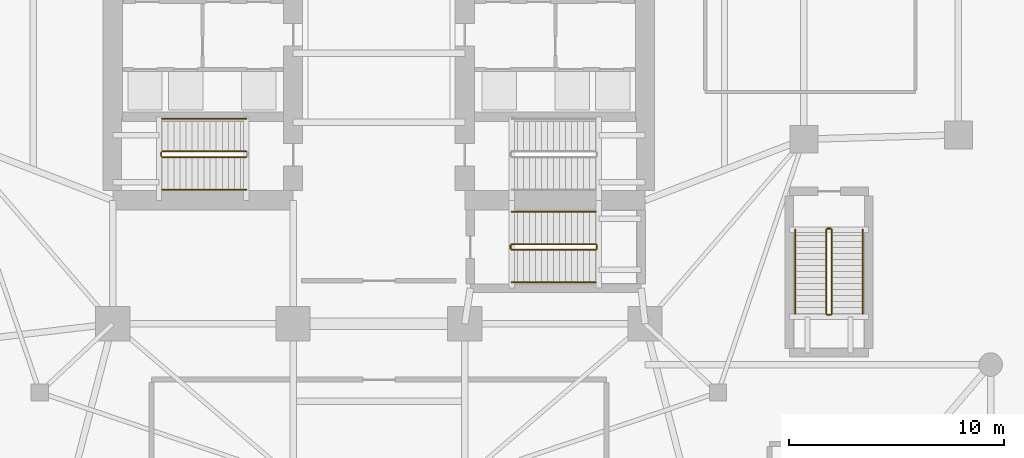
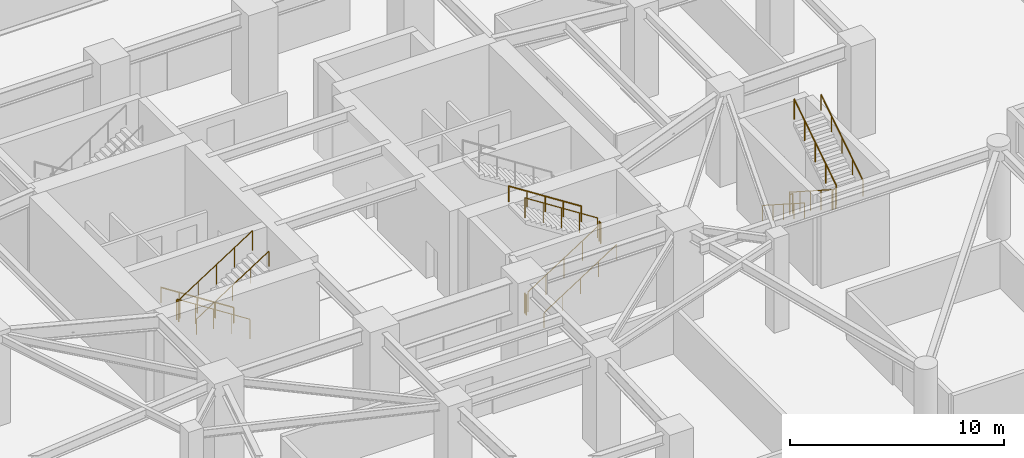
# One storey, part 19 of 24: 17 railings.
"""IFC4 building model written with IfcOpenShell, lengths in metres."""

from ifc_helpers import new_model, si_unit, direction, frame, origin, origin_2d, place, context, subcontext, project, spatial, circle, extrude, material, type_object, element, save


model = new_model("IFC4")

# Units and contexts
model_context = context("Model", 3, precision=1e-05, world=origin(), true_north=direction((0.0, 1.0)))
body_context = subcontext(model_context, "Body", "Model", "MODEL_VIEW")
ifc_project = project(units=[si_unit("LENGTHUNIT", "METRE"), si_unit("AREAUNIT", "SQUARE_METRE"), si_unit("VOLUMEUNIT", "CUBIC_METRE"), si_unit("PLANEANGLEUNIT", "RADIAN"), si_unit("MASSUNIT", "GRAM", prefix="KILO")], contexts=[model_context])

# Site, building, storey
site_placement = place(None, origin())
site = spatial("IfcSite", under=ifc_project, at=site_placement, CompositionType="ELEMENT")
building_placement = place(site_placement, origin())
building = spatial("IfcBuilding", under=site, at=building_placement, Name="Qingluan Cross Belvedere", CompositionType="ELEMENT")
storey_placement = place(building_placement, origin())
storey = spatial("IfcBuildingStorey", under=building, at=storey_placement, Name="L01", CompositionType="ELEMENT", Elevation=0.0)

# Railings
ifc_material_1 = material(Name="Brushed stainless steel tubular handrail", Category="steel")
railing_type_1 = type_object("IfcRailingType", Name="StairPitchHandrail_900", PredefinedType="HANDRAIL", material=ifc_material_1)
railing_1_placement = place(storey_placement, frame((-6.179931640625, -3.050048828125, 0.179931640625)))
element("IfcRailing", 1, at=railing_1_placement, inside=storey, type_object=railing_type_1, Name="L01 ST1 stair handrail 1", PredefinedType="HANDRAIL", context=body_context, shape_type="SweptSolid", body=[
    extrude(circle(Radius=0.02392578125, at=origin_2d()), frame((0.0, 0.0, 0.8759765625), z_axis=(-0.841186985886, 0.0, 0.540744352514), x_axis=(0.0, -1.0, 0.0)), (0.0, 0.0, 1.0), 4.660400390625),
    extrude(circle(Radius=0.02099609375, at=origin_2d()), origin(), (0.0, 0.0, 1.0), 0.851806640625),
    extrude(circle(Radius=0.02099609375, at=origin_2d()), frame((-0.97998046875, 0.0, 0.6298828125)), (0.0, 0.0, 1.0), 0.851806640625),
    extrude(circle(Radius=0.02099609375, at=origin_2d()), frame((-1.9599609375, 0.0, 1.260009765625)), (0.0, 0.0, 1.0), 0.851806640625),
    extrude(circle(Radius=0.02099609375, at=origin_2d()), frame((-2.940185546875, 0.0, 1.89013671875)), (0.0, 0.0, 1.0), 0.851806640625),
    extrude(circle(Radius=0.02099609375, at=origin_2d()), frame((-3.920166015625, 0.0, 2.52001953125)), (0.0, 0.0, 1.0), 0.851806640625),
])
for number, where, name in (
    (2, (-10.10009765625, -6.35009765625, 2.8798828125), "L01 ST1 stair handrail 2"),
    (3, (6.179931640625, -10.669921875, 0.179931640625), "L01 ST4 stair handrail 1"),
):
    element("IfcRailing", number, at=place(storey_placement, frame(where)), inside=storey, type_object=railing_type_1, Name=name, PredefinedType="HANDRAIL", context=body_context, shape_type="SweptSolid", body=[
        extrude(circle(Radius=0.02392578125, at=origin_2d()), frame((0.0, 0.0, 0.8759765625), z_axis=(0.841186985886, 0.0, 0.540744352514), x_axis=(0.0, 1.0, 0.0)), (0.0, 0.0, 1.0), 4.660400390625),
        extrude(circle(Radius=0.02099609375, at=origin_2d()), origin(), (0.0, 0.0, 1.0), 0.851806640625),
        extrude(circle(Radius=0.02099609375, at=origin_2d()), frame((0.97998046875, 0.0, 0.6298828125)), (0.0, 0.0, 1.0), 0.851806640625),
        extrude(circle(Radius=0.02099609375, at=origin_2d()), frame((1.9599609375, 0.0, 1.260009765625)), (0.0, 0.0, 1.0), 0.851806640625),
        extrude(circle(Radius=0.02099609375, at=origin_2d()), frame((2.940185546875, 0.0, 1.89013671875)), (0.0, 0.0, 1.0), 0.851806640625),
        extrude(circle(Radius=0.02099609375, at=origin_2d()), frame((3.920166015625, 0.0, 2.52001953125)), (0.0, 0.0, 1.0), 0.851806640625),
    ])
railing_2_placement = place(storey_placement, frame((10.10009765625, -7.3701171875, 2.8798828125)))
element("IfcRailing", 4, at=railing_2_placement, inside=storey, type_object=railing_type_1, Name="L01 ST4 stair handrail 2", PredefinedType="HANDRAIL", context=body_context, shape_type="SweptSolid", body=[
    extrude(circle(Radius=0.02392578125, at=origin_2d()), frame((0.0, 0.0, 0.8759765625), z_axis=(-0.841186985886, 0.0, 0.540744352514), x_axis=(0.0, -1.0, 0.0)), (0.0, 0.0, 1.0), 4.660400390625),
    extrude(circle(Radius=0.02099609375, at=origin_2d()), origin(), (0.0, 0.0, 1.0), 0.851806640625),
    extrude(circle(Radius=0.02099609375, at=origin_2d()), frame((-0.97998046875, 0.0, 0.6298828125)), (0.0, 0.0, 1.0), 0.851806640625),
    extrude(circle(Radius=0.02099609375, at=origin_2d()), frame((-1.9599609375, 0.0, 1.260009765625)), (0.0, 0.0, 1.0), 0.851806640625),
    extrude(circle(Radius=0.02099609375, at=origin_2d()), frame((-2.940185546875, 0.0, 1.89013671875)), (0.0, 0.0, 1.0), 0.851806640625),
    extrude(circle(Radius=0.02099609375, at=origin_2d()), frame((-3.920166015625, 0.0, 2.52001953125)), (0.0, 0.0, 1.0), 0.851806640625),
])
railing_3_placement = place(storey_placement, frame((19.389892578125, -8.2099609375, 0.179931640625)))
element("IfcRailing", 5, at=railing_3_placement, inside=storey, type_object=railing_type_1, Name="L01 ST6 stair handrail 1", PredefinedType="HANDRAIL", context=body_context, shape_type="SweptSolid", body=[
    extrude(circle(Radius=0.02392578125, at=origin_2d()), frame((0.0, 0.0, 0.8759765625), z_axis=(0.0, -0.841171666519, 0.540768182723), x_axis=(1.0, 0.0, 0.0)), (0.0, 0.0, 1.0), 4.66015625),
    extrude(circle(Radius=0.02099609375, at=origin_2d()), origin(), (0.0, 0.0, 1.0), 0.851806640625),
    extrude(circle(Radius=0.02099609375, at=origin_2d()), frame((0.0, -0.97998046875, 0.6298828125)), (0.0, 0.0, 1.0), 0.851806640625),
    extrude(circle(Radius=0.02099609375, at=origin_2d()), frame((0.0, -1.9599609375, 1.260009765625)), (0.0, 0.0, 1.0), 0.851806640625),
    extrude(circle(Radius=0.02099609375, at=origin_2d()), frame((0.0, -2.93994140625, 1.89013671875)), (0.0, 0.0, 1.0), 0.851806640625),
    extrude(circle(Radius=0.02099609375, at=origin_2d()), frame((0.0, -3.919921875, 2.52001953125)), (0.0, 0.0, 1.0), 0.851806640625),
])
railing_4_placement = place(storey_placement, frame((22.550048828125, -12.1298828125, 2.8798828125)))
element("IfcRailing", 6, at=railing_4_placement, inside=storey, type_object=railing_type_1, Name="L01 ST6 stair handrail 2", PredefinedType="HANDRAIL", context=body_context, shape_type="SweptSolid", body=[
    extrude(circle(Radius=0.02392578125, at=origin_2d()), frame((0.0, 0.0, 0.8759765625), z_axis=(0.0, 0.841171666519, 0.540768182723), x_axis=(-1.0, 0.0, 0.0)), (0.0, 0.0, 1.0), 4.66015625),
    extrude(circle(Radius=0.02099609375, at=origin_2d()), origin(), (0.0, 0.0, 1.0), 0.851806640625),
    extrude(circle(Radius=0.02099609375, at=origin_2d()), frame((0.0, 0.97998046875, 0.6298828125)), (0.0, 0.0, 1.0), 0.851806640625),
    extrude(circle(Radius=0.02099609375, at=origin_2d()), frame((0.0, 1.9599609375, 1.260009765625)), (0.0, 0.0, 1.0), 0.851806640625),
    extrude(circle(Radius=0.02099609375, at=origin_2d()), frame((0.0, 2.93994140625, 1.89013671875)), (0.0, 0.0, 1.0), 0.851806640625),
    extrude(circle(Radius=0.02099609375, at=origin_2d()), frame((0.0, 3.919921875, 2.52001953125)), (0.0, 0.0, 1.0), 0.851806640625),
])
ifc_material_2 = material(Name="Painted steel stair well guard", Category="steel")
railing_type_2 = type_object("IfcRailingType", Name="StairWellGuard_1150", PredefinedType="BALUSTRADE", material=ifc_material_2)
railing_5_placement = place(storey_placement, frame((-6.179931640625, -4.570068359375, 0.179931640625)))
element("IfcRailing", 7, at=railing_5_placement, inside=storey, type_object=railing_type_2, Name="L01 ST1 stair guard 1", PredefinedType="BALUSTRADE", context=body_context, shape_type="SweptSolid", body=[
    extrude(circle(Radius=0.02392578125, at=origin_2d()), frame((0.0, 0.0, 1.1259765625), z_axis=(-0.841186985886, 0.0, 0.540744352514), x_axis=(0.0, -1.0, 0.0)), (0.0, 0.0, 1.0), 4.660400390625),
    extrude(circle(Radius=0.02099609375, at=origin_2d()), origin(), (0.0, 0.0, 1.0), 1.101806640625),
    extrude(circle(Radius=0.02099609375, at=origin_2d()), frame((-0.97998046875, 0.0, 0.6298828125)), (0.0, 0.0, 1.0), 1.101806640625),
    extrude(circle(Radius=0.02099609375, at=origin_2d()), frame((-1.9599609375, 0.0, 1.260009765625)), (0.0, 0.0, 1.0), 1.101806640625),
    extrude(circle(Radius=0.02099609375, at=origin_2d()), frame((-2.940185546875, 0.0, 1.89013671875)), (0.0, 0.0, 1.0), 1.101806640625),
    extrude(circle(Radius=0.02099609375, at=origin_2d()), frame((-3.920166015625, 0.0, 2.52001953125)), (0.0, 0.0, 1.0), 1.101806640625),
])
railing_6_placement = place(storey_placement, frame((-10.14990234375, -4.6201171875, 2.699951171875)))
element("IfcRailing", 8, at=railing_6_placement, inside=storey, type_object=railing_type_2, Name="L01 ST1 stair guard 2", PredefinedType="BALUSTRADE", context=body_context, shape_type="SweptSolid", body=[
    extrude(circle(Radius=0.02392578125, at=origin_2d()), frame((0.0, 0.0, 1.1259765625), z_axis=(0.0, -1.0, 0.0), x_axis=(1.0, 0.0, 0.0)), (0.0, 0.0, 1.0), 0.159912109375),
    extrude(circle(Radius=0.02099609375, at=origin_2d()), origin(), (0.0, 0.0, 1.0), 1.101806640625),
    extrude(circle(Radius=0.02099609375, at=origin_2d()), frame((0.0, -0.159912109375, 0.0)), (0.0, 0.0, 1.0), 1.101806640625),
])
for number, where, name in (
    (9, (-10.10009765625, -4.830078125, 2.8798828125), "L01 ST1 stair guard 3"),
    (10, (6.179931640625, -9.14990234375, 0.179931640625), "L01 ST4 stair guard 1"),
):
    element("IfcRailing", number, at=place(storey_placement, frame(where)), inside=storey, type_object=railing_type_2, Name=name, PredefinedType="BALUSTRADE", context=body_context, shape_type="SweptSolid", body=[
        extrude(circle(Radius=0.02392578125, at=origin_2d()), frame((0.0, 0.0, 1.1259765625), z_axis=(0.841186985886, 0.0, 0.540744352514), x_axis=(0.0, 1.0, 0.0)), (0.0, 0.0, 1.0), 4.660400390625),
        extrude(circle(Radius=0.02099609375, at=origin_2d()), origin(), (0.0, 0.0, 1.0), 1.101806640625),
        extrude(circle(Radius=0.02099609375, at=origin_2d()), frame((0.97998046875, 0.0, 0.6298828125)), (0.0, 0.0, 1.0), 1.101806640625),
        extrude(circle(Radius=0.02099609375, at=origin_2d()), frame((1.9599609375, 0.0, 1.260009765625)), (0.0, 0.0, 1.0), 1.101806640625),
        extrude(circle(Radius=0.02099609375, at=origin_2d()), frame((2.940185546875, 0.0, 1.89013671875)), (0.0, 0.0, 1.0), 1.101806640625),
        extrude(circle(Radius=0.02099609375, at=origin_2d()), frame((3.920166015625, 0.0, 2.52001953125)), (0.0, 0.0, 1.0), 1.101806640625),
    ])
railing_7_placement = place(storey_placement, frame((10.14990234375, -9.10009765625, 2.699951171875)))
element("IfcRailing", 11, at=railing_7_placement, inside=storey, type_object=railing_type_2, Name="L01 ST4 stair guard 2", PredefinedType="BALUSTRADE", context=body_context, shape_type="SweptSolid", body=[
    extrude(circle(Radius=0.02392578125, at=origin_2d()), frame((0.0, 0.0, 1.1259765625), z_axis=(0.0, 1.0, 0.0), x_axis=(-1.0, 0.0, 0.0)), (0.0, 0.0, 1.0), 0.16015625),
    extrude(circle(Radius=0.02099609375, at=origin_2d()), origin(), (0.0, 0.0, 1.0), 1.101806640625),
    extrude(circle(Radius=0.02099609375, at=origin_2d()), frame((0.0, 0.16015625, 0.0)), (0.0, 0.0, 1.0), 1.101806640625),
])
railing_8_placement = place(storey_placement, frame((10.10009765625, -8.889892578125, 2.8798828125)))
element("IfcRailing", 12, at=railing_8_placement, inside=storey, type_object=railing_type_2, Name="L01 ST4 stair guard 3", PredefinedType="BALUSTRADE", context=body_context, shape_type="SweptSolid", body=[
    extrude(circle(Radius=0.02392578125, at=origin_2d()), frame((0.0, 0.0, 1.1259765625), z_axis=(-0.841186985886, 0.0, 0.540744352514), x_axis=(0.0, -1.0, 0.0)), (0.0, 0.0, 1.0), 4.660400390625),
    extrude(circle(Radius=0.02099609375, at=origin_2d()), origin(), (0.0, 0.0, 1.0), 1.101806640625),
    extrude(circle(Radius=0.02099609375, at=origin_2d()), frame((-0.97998046875, 0.0, 0.6298828125)), (0.0, 0.0, 1.0), 1.101806640625),
    extrude(circle(Radius=0.02099609375, at=origin_2d()), frame((-1.9599609375, 0.0, 1.260009765625)), (0.0, 0.0, 1.0), 1.101806640625),
    extrude(circle(Radius=0.02099609375, at=origin_2d()), frame((-2.940185546875, 0.0, 1.89013671875)), (0.0, 0.0, 1.0), 1.101806640625),
    extrude(circle(Radius=0.02099609375, at=origin_2d()), frame((-3.920166015625, 0.0, 2.52001953125)), (0.0, 0.0, 1.0), 1.101806640625),
])
railing_9_placement = place(storey_placement, frame((6.1298828125, -9.10009765625, 0.0)))
element("IfcRailing", 13, at=railing_9_placement, inside=storey, type_object=railing_type_2, Name="L01 ST4 stair guard 4", PredefinedType="BALUSTRADE", context=body_context, shape_type="SweptSolid", body=[
    extrude(circle(Radius=0.02392578125, at=origin_2d()), frame((0.0, 0.0, 1.1259765625), z_axis=(0.0, 1.0, 0.0), x_axis=(-1.0, 0.0, 0.0)), (0.0, 0.0, 1.0), 0.16015625),
    extrude(circle(Radius=0.02099609375, at=origin_2d()), origin(), (0.0, 0.0, 1.0), 1.101806640625),
    extrude(circle(Radius=0.02099609375, at=origin_2d()), frame((0.0, 0.16015625, 0.0)), (0.0, 0.0, 1.0), 1.101806640625),
])
railing_10_placement = place(storey_placement, frame((20.840087890625, -8.2099609375, 0.179931640625)))
element("IfcRailing", 14, at=railing_10_placement, inside=storey, type_object=railing_type_2, Name="L01 ST6 stair guard 1", PredefinedType="BALUSTRADE", context=body_context, shape_type="SweptSolid", body=[
    extrude(circle(Radius=0.02392578125, at=origin_2d()), frame((0.0, 0.0, 1.1259765625), z_axis=(0.0, -0.841171666519, 0.540768182723), x_axis=(1.0, 0.0, 0.0)), (0.0, 0.0, 1.0), 4.66015625),
    extrude(circle(Radius=0.02099609375, at=origin_2d()), origin(), (0.0, 0.0, 1.0), 1.101806640625),
    extrude(circle(Radius=0.02099609375, at=origin_2d()), frame((0.0, -0.97998046875, 0.6298828125)), (0.0, 0.0, 1.0), 1.101806640625),
    extrude(circle(Radius=0.02099609375, at=origin_2d()), frame((0.0, -1.9599609375, 1.260009765625)), (0.0, 0.0, 1.0), 1.101806640625),
    extrude(circle(Radius=0.02099609375, at=origin_2d()), frame((0.0, -2.93994140625, 1.89013671875)), (0.0, 0.0, 1.0), 1.101806640625),
    extrude(circle(Radius=0.02099609375, at=origin_2d()), frame((0.0, -3.919921875, 2.52001953125)), (0.0, 0.0, 1.0), 1.101806640625),
])
railing_11_placement = place(storey_placement, frame((20.889892578125, -12.179931640625, 2.699951171875)))
element("IfcRailing", 15, at=railing_11_placement, inside=storey, type_object=railing_type_2, Name="L01 ST6 stair guard 2", PredefinedType="BALUSTRADE", context=body_context, shape_type="SweptSolid", body=[
    extrude(circle(Radius=0.02392578125, at=origin_2d()), frame((0.0, 0.0, 1.1259765625), z_axis=(1.0, 0.0, 0.0), x_axis=(0.0, 1.0, 0.0)), (0.0, 0.0, 1.0), 0.16015625),
    extrude(circle(Radius=0.02099609375, at=origin_2d()), origin(), (0.0, 0.0, 1.0), 1.101806640625),
    extrude(circle(Radius=0.02099609375, at=origin_2d()), frame((0.16015625, 0.0, 0.0)), (0.0, 0.0, 1.0), 1.101806640625),
])
railing_12_placement = place(storey_placement, frame((21.10009765625, -12.1298828125, 2.8798828125)))
element("IfcRailing", 16, at=railing_12_placement, inside=storey, type_object=railing_type_2, Name="L01 ST6 stair guard 3", PredefinedType="BALUSTRADE", context=body_context, shape_type="SweptSolid", body=[
    extrude(circle(Radius=0.02392578125, at=origin_2d()), frame((0.0, 0.0, 1.1259765625), z_axis=(0.0, 0.841171666519, 0.540768182723), x_axis=(-1.0, 0.0, 0.0)), (0.0, 0.0, 1.0), 4.66015625),
    extrude(circle(Radius=0.02099609375, at=origin_2d()), origin(), (0.0, 0.0, 1.0), 1.101806640625),
    extrude(circle(Radius=0.02099609375, at=origin_2d()), frame((0.0, 0.97998046875, 0.6298828125)), (0.0, 0.0, 1.0), 1.101806640625),
    extrude(circle(Radius=0.02099609375, at=origin_2d()), frame((0.0, 1.9599609375, 1.260009765625)), (0.0, 0.0, 1.0), 1.101806640625),
    extrude(circle(Radius=0.02099609375, at=origin_2d()), frame((0.0, 2.93994140625, 1.89013671875)), (0.0, 0.0, 1.0), 1.101806640625),
    extrude(circle(Radius=0.02099609375, at=origin_2d()), frame((0.0, 3.919921875, 2.52001953125)), (0.0, 0.0, 1.0), 1.101806640625),
])
railing_13_placement = place(storey_placement, frame((20.889892578125, -8.159912109375, 0.0)))
element("IfcRailing", 17, at=railing_13_placement, inside=storey, type_object=railing_type_2, Name="L01 ST6 stair guard 4", PredefinedType="BALUSTRADE", context=body_context, shape_type="SweptSolid", body=[
    extrude(circle(Radius=0.02392578125, at=origin_2d()), frame((0.0, 0.0, 1.1259765625), z_axis=(1.0, 0.0, 0.0), x_axis=(0.0, 1.0, 0.0)), (0.0, 0.0, 1.0), 0.16015625),
    extrude(circle(Radius=0.02099609375, at=origin_2d()), origin(), (0.0, 0.0, 1.0), 1.101806640625),
    extrude(circle(Radius=0.02099609375, at=origin_2d()), frame((0.16015625, 0.0, 0.0)), (0.0, 0.0, 1.0), 1.101806640625),
])

save(model, "model.ifc")
